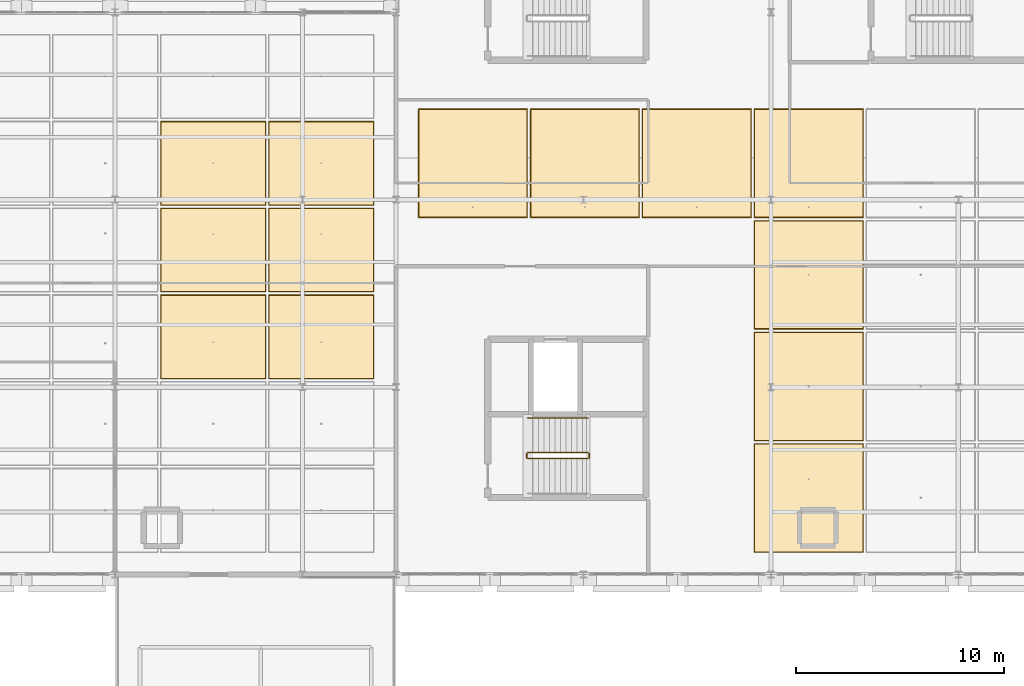
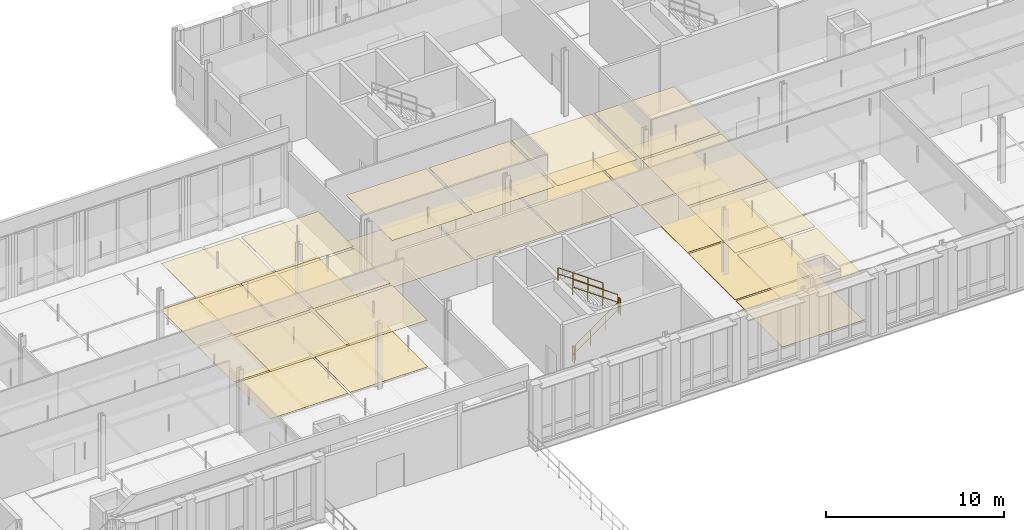
# One storey, part 85 of 89: 26 coverings, 5 railings.
"""IFC4 building model written with IfcOpenShell, lengths in metres."""

import ifcopenshell
import ifcopenshell.guid

model = None  # the IFC model being written
_history = None  # IfcOwnerHistory: only IFC2X3 demands one
_inside = {}  # id of a spatial element -> (the spatial element, [elements in it])
_under = {}  # id of a project, library or spatial element -> (it, [spatial elements below it])
_declared = {}  # id of a project -> (the project, [libraries it declares])
_typed = {}  # id of a type object -> (the type object, [elements of that type])
_made_of = {}  # id of a material, layer set ... -> (it, [elements and type objects made of it])


def new_model(schema):
    """Start an empty IFC model of exactly this schema.

    Asked for "IFC4X3", IfcOpenShell would pick the latest addendum, in which some entities
    have other attributes; the version numbers below select the first issue.
    IFC2X3 requires an IfcOwnerHistory on every rooted entity: one is made here for all.
    """
    global model, _history
    if schema == "IFC4X3":
        model = ifcopenshell.file(schema_version=(4, 3, 0, 0))
    else:
        model = ifcopenshell.file(schema=schema)
    _inside.clear()
    _under.clear()
    _declared.clear()
    _typed.clear()
    _made_of.clear()
    _history = None
    if model.schema == "IFC2X3":
        org = make("IfcOrganization", Name="unknown")
        user = make(
            "IfcPersonAndOrganization",
            ThePerson=make("IfcPerson", FamilyName="unknown"),
            TheOrganization=org,
        )
        app = make(
            "IfcApplication",
            ApplicationDeveloper=org,
            Version="unknown",
            ApplicationFullName="unknown",
            ApplicationIdentifier="unknown",
        )
        _history = make(
            "IfcOwnerHistory",
            OwningUser=user,
            OwningApplication=app,
            ChangeAction="ADDED",
            CreationDate=0,
        )
    return model


def make(cls, **values):
    """One entity of the class cls with the attributes given. An attribute that is None is left unset."""
    return model.create_entity(
        cls, **{name: value for name, value in values.items() if value is not None}
    )


def rooted(cls, **values):
    """An entity with a GlobalId (a new one), such as an element, a storey or a relation."""
    return make(cls, GlobalId=ifcopenshell.guid.new(), OwnerHistory=_history, **values)


def si_unit(unit_type, name, prefix=None):
    """IfcSIUnit, for example si_unit("LENGTHUNIT", "METRE", prefix="MILLI")."""
    return make("IfcSIUnit", UnitType=unit_type, Prefix=prefix, Name=name)


def assignment(units):
    """IfcUnitAssignment: the units of a project."""
    return None if units is None else make("IfcUnitAssignment", Units=units)


def point(xyz):
    """IfcCartesianPoint."""
    return None if xyz is None else make("IfcCartesianPoint", Coordinates=xyz)


def direction(xyz):
    """IfcDirection."""
    return None if xyz is None else make("IfcDirection", DirectionRatios=xyz)


def frame(location, z_axis=None, x_axis=None):
    """IfcAxis2Placement3D, a coordinate frame: its origin and axes. An axis left out is left unset."""
    return make(
        "IfcAxis2Placement3D",
        Location=point(location),
        Axis=direction(z_axis),
        RefDirection=direction(x_axis),
    )


def frame_2d(location, x_axis=None):
    """IfcAxis2Placement2D, a coordinate frame in the plane: its origin and x axis."""
    return make(
        "IfcAxis2Placement2D", Location=point(location), RefDirection=direction(x_axis)
    )


def origin():
    """The frame at (0, 0, 0) with its axes left unset."""
    return frame((0.0, 0.0, 0.0))


def origin_2d():
    """The frame at (0, 0) in the plane with its x axis left unset."""
    return frame_2d((0.0, 0.0))


def place(relative_to, where):
    """IfcLocalPlacement: puts the frame where relative to a parent placement (None: the world)."""
    return make(
        "IfcLocalPlacement", PlacementRelTo=relative_to, RelativePlacement=where
    )


def context(
    kind, dimensions, precision=None, world=None, true_north=None, identifier=None
):
    """IfcGeometricRepresentationContext, for example the 3D "Model" context."""
    return make(
        "IfcGeometricRepresentationContext",
        ContextIdentifier=identifier,
        ContextType=kind,
        CoordinateSpaceDimension=dimensions,
        Precision=precision,
        WorldCoordinateSystem=world,
        TrueNorth=true_north,
    )


def subcontext(parent, identifier, kind, view, scale=None):
    """IfcGeometricRepresentationSubContext, for example "Body" below "Model"."""
    return make(
        "IfcGeometricRepresentationSubContext",
        ContextIdentifier=identifier,
        ContextType=kind,
        ParentContext=parent,
        TargetScale=scale,
        TargetView=view,
    )


def project(units=None, contexts=None):
    """IfcProject with its units and contexts."""
    return rooted(
        "IfcProject",
        Name="project",
        RepresentationContexts=contexts,
        UnitsInContext=assignment(units),
    )


def spatial(cls, under=None, at=None, **own):
    """A site, building, storey or space (cls), placed at a placement, below another one or the project."""
    s = rooted(cls, ObjectPlacement=at, **own)
    if under is not None:
        _under.setdefault(under.id(), (under, []))[1].append(s)
    return s


def profile(cls, at=None, kind="AREA", **sizes):
    """A parametric profile (cls). Its sizes go by their IFC names, for example OverallWidth=200.0."""
    return make(cls, ProfileType=kind, Position=at, **sizes)


def rectangle(**sizes):
    """IfcRectangleProfileDef."""
    return profile("IfcRectangleProfileDef", **sizes)


def circle(**sizes):
    """IfcCircleProfileDef."""
    return profile("IfcCircleProfileDef", **sizes)


def extrude(swept, where, along, depth):
    """IfcExtrudedAreaSolid: the profile swept, set in the frame where, extruded along a direction by depth."""
    return make(
        "IfcExtrudedAreaSolid",
        SweptArea=swept,
        Position=where,
        ExtrudedDirection=direction(along),
        Depth=depth,
    )


def shape(context_of_items, identifier, shape_type, items):
    """IfcShapeRepresentation: the items that make up one representation, for example the "Body"."""
    return make(
        "IfcShapeRepresentation",
        ContextOfItems=context_of_items,
        RepresentationIdentifier=identifier,
        RepresentationType=shape_type,
        Items=items,
    )


def material(Name=None, Category=None):
    """IfcMaterial."""
    return make("IfcMaterial", Name=Name, Category=Category)


def layer(
    of_material, thickness, ventilated=None, Name=None, Category=None, Priority=None
):
    """IfcMaterialLayer: one layer of a wall or slab, of a material (None: an air gap)."""
    return make(
        "IfcMaterialLayer",
        Material=of_material,
        LayerThickness=thickness,
        IsVentilated=ventilated,
        Name=Name,
        Category=Category,
        Priority=Priority,
    )


def layer_set(layers, Name=None):
    """IfcMaterialLayerSet."""
    return make("IfcMaterialLayerSet", MaterialLayers=layers, LayerSetName=Name)


def made_of(thing, what):
    """Note that an element or type object is made of a material, layer set ...; save() writes the relation."""
    if what is not None:
        _made_of.setdefault(what.id(), (what, []))[1].append(thing)
    return thing


def type_object(cls, material=None, **own):
    """A type object (cls), such as IfcWallType, which elements share."""
    return made_of(rooted(cls, **own), material)


def element(
    cls,
    number,
    at=None,
    inside=None,
    cuts=None,
    type_object=None,
    material=None,
    context=None,
    identifier="Body",
    shape_type=None,
    held_by="IfcProductDefinitionShape",
    body=None,
    shapes=None,
    **own,
):
    """One element of the class cls, such as IfcWall. Its Tag is "e" and its number.

    at: its placement. inside: the storey or other place that contains it. cuts: it is an
    opening in that element (IfcRelVoidsElement). A single representation is given by context,
    identifier, shape_type and body (its items); several are given by shapes. held_by: the class
    of the entity that holds the representations. save() writes the other relations.
    """
    e = rooted(cls, Tag="e%d" % number, ObjectPlacement=at, **own)
    if body is not None:
        shapes = [shape(context, identifier, shape_type, body)]
    if shapes is not None:
        e.Representation = make(held_by, Representations=shapes)
    if inside is not None:
        _inside.setdefault(inside.id(), (inside, []))[1].append(e)
    if cuts is not None:
        rooted(
            "IfcRelVoidsElement", RelatingBuildingElement=cuts, RelatedOpeningElement=e
        )
    if type_object is not None:
        _typed.setdefault(type_object.id(), (type_object, []))[1].append(e)
    return made_of(e, material)


def aggregate(whole, parts):
    """IfcRelAggregates: a whole, such as a stair, and the parts it consists of."""
    return rooted("IfcRelAggregates", RelatingObject=whole, RelatedObjects=parts)


def save(model, path):
    """Write the relations noted so far, then the file.

    IfcRelAggregates (storeys below a building ...), IfcRelContainedInSpatialStructure (elements
    in a storey), IfcRelDefinesByType, IfcRelAssociatesMaterial and IfcRelDeclares: one each for
    every whole, place, type object, material and project.
    """
    for whole, parts in _under.values():
        aggregate(whole, parts)
    for where, things in _inside.values():
        rooted(
            "IfcRelContainedInSpatialStructure",
            RelatedElements=things,
            RelatingStructure=where,
        )
    for kind, things in _typed.values():
        rooted("IfcRelDefinesByType", RelatedObjects=things, RelatingType=kind)
    for what, things in _made_of.values():
        rooted("IfcRelAssociatesMaterial", RelatedObjects=things, RelatingMaterial=what)
    for by, libraries in _declared.values():
        rooted("IfcRelDeclares", RelatingContext=by, RelatedDefinitions=libraries)
    model.write(path)


model = new_model("IFC4")

# Units and contexts
model_context = context("Model", 3, precision=1e-05, world=origin(), true_north=direction((0.0, 1.0)))
body_context = subcontext(model_context, "Body", "Model", "MODEL_VIEW")
ifc_project = project(units=[si_unit("LENGTHUNIT", "METRE"), si_unit("AREAUNIT", "SQUARE_METRE"), si_unit("VOLUMEUNIT", "CUBIC_METRE"), si_unit("PLANEANGLEUNIT", "RADIAN"), si_unit("MASSUNIT", "GRAM", prefix="KILO"), si_unit("THERMODYNAMICTEMPERATUREUNIT", "KELVIN"), si_unit("POWERUNIT", "WATT")], contexts=[model_context])

# Site, building, storey
site_placement = place(None, origin())
site = spatial("IfcSite", under=ifc_project, at=site_placement, CompositionType="ELEMENT")
building_placement = place(site_placement, origin())
building = spatial("IfcBuilding", under=site, at=building_placement, Name="Tallowbark Science Centre", CompositionType="ELEMENT")
storey_placement = place(building_placement, frame((0.0, 0.0, 14.39990234375)))
storey = spatial("IfcBuildingStorey", under=building, at=storey_placement, Name="L03", CompositionType="ELEMENT", Elevation=14.39990234375)

# Coverings
ifc_material_1 = material(Name="Mineral-Fibre Acoustic Ceiling Tile Grid")
ifc_layer_1 = layer(ifc_material_1, 0.01806640625)
ifc_layer_set_1 = layer_set([ifc_layer_1], Name="Mineral-Fibre Acoustic Ceiling Tile Grid")
covering_type_1 = type_object("IfcCoveringType", Name="CLG-ACT-18", PredefinedType="CEILING", material=ifc_layer_set_1)
for number, where, z_axis, x_axis, name in (
    (1, (116.1875, 91.75, 3.191162109375), (0.0, 0.0, 1.0), (1.0, 0.0, 0.0), "Suspended Ceiling L03-1033"),
    (2, (121.5625, 91.75, 3.191162109375), (0.0, 0.0, 1.0), (1.0, 0.0, 0.0), "Suspended Ceiling L03-1035"),
    (3, (126.9375, 91.75, 3.191162109375), (0.0, 0.0, 1.0), (1.0, 0.0, 0.0), "Suspended Ceiling L03-1037"),
    (4, (132.3125, 75.6787109375, 3.191162109375), (0.0, 0.0, 1.0), (1.0, 0.0, 0.0), "Suspended Ceiling L03-1039"),
    (5, (132.3125, 81.03564453125, 3.191162109375), (0.0, 0.0, 1.0), (1.0, 0.0, 0.0), "Suspended Ceiling L03-1040"),
    (6, (132.3125, 86.392822265625, 3.191162109375), (0.0, 0.0, 1.0), (1.0, 0.0, 0.0), "Suspended Ceiling L03-1041"),
    (7, (132.3125, 91.75, 3.191162109375), (0.0, 0.0, 1.0), (1.0, 0.0, 0.0), "Suspended Ceiling L03-1042"),
):
    element("IfcCovering", number, at=place(storey_placement, frame(where, z_axis=z_axis, x_axis=x_axis)), inside=storey, type_object=covering_type_1, Name=name, PredefinedType="CEILING", context=body_context, shape_type="SweptSolid", body=[
        extrude(rectangle(XDim=5.195068359375, YDim=5.177001953125, at=origin_2d()), origin(), (0.0, 0.0, 1.0), 0.01806640625),
    ])
ifc_material_2 = material(Name="Cleanable Vinyl-Faced Laboratory Ceiling Tile")
ifc_layer_2 = layer(ifc_material_2, 0.01611328125)
ifc_layer_set_2 = layer_set([ifc_layer_2], Name="Cleanable Vinyl-Faced Laboratory Ceiling Tile")
covering_type_2 = type_object("IfcCoveringType", Name="CLG-LAB-16", PredefinedType="CEILING", material=ifc_layer_set_2)
for number, where, z_axis, x_axis, name in (
    (8, (103.71875, 83.416748046875, 3.192138671875), (0.0, 0.0, 1.0), (1.0, 0.0, 0.0), "Suspended Ceiling L03-1023"),
    (9, (103.71875, 87.583251953125, 3.192138671875), (0.0, 0.0, 1.0), (1.0, 0.0, 0.0), "Suspended Ceiling L03-1024"),
    (10, (103.71875, 91.75, 3.192138671875), (0.0, 0.0, 1.0), (1.0, 0.0, 0.0), "Suspended Ceiling L03-1025"),
    (11, (108.90625, 83.416748046875, 3.192138671875), (0.0, 0.0, 1.0), (1.0, 0.0, 0.0), "Suspended Ceiling L03-1029"),
    (12, (108.90625, 87.583251953125, 3.192138671875), (0.0, 0.0, 1.0), (1.0, 0.0, 0.0), "Suspended Ceiling L03-1030"),
    (13, (108.90625, 91.75, 3.192138671875), (0.0, 0.0, 1.0), (1.0, 0.0, 0.0), "Suspended Ceiling L03-1031"),
):
    element("IfcCovering", number, at=place(storey_placement, frame(where, z_axis=z_axis, x_axis=x_axis)), inside=storey, type_object=covering_type_2, Name=name, PredefinedType="CEILING", context=body_context, shape_type="SweptSolid", body=[
        extrude(rectangle(XDim=5.007568359375, YDim=3.98681640625, at=origin_2d()), origin(), (0.0, 0.0, 1.0), 0.01611328125),
    ])
ifc_material_3 = material(Name="Engineered Blackbutt Gallery Timber Flooring", Category="wood")
ifc_layer_3 = layer(ifc_material_3, 0.02197265625)
ifc_layer_set_3 = layer_set([ifc_layer_3], Name="Engineered Blackbutt Gallery Timber Flooring")
covering_type_3 = type_object("IfcCoveringType", Name="FLR-TIM-22", PredefinedType="FLOORING", material=ifc_layer_set_3)
for number, where, z_axis, x_axis, name in (
    (14, (116.1875, 91.75, 0.0), (0.0, 0.0, 1.0), (1.0, 0.0, 0.0), "Floor Finish L03-1033"),
    (15, (121.5625, 91.75, 0.0), (0.0, 0.0, 1.0), (1.0, 0.0, 0.0), "Floor Finish L03-1035"),
    (16, (126.9375, 91.75, 0.0), (0.0, 0.0, 1.0), (1.0, 0.0, 0.0), "Floor Finish L03-1037"),
    (17, (132.3125, 75.6787109375, 0.0), (0.0, 0.0, 1.0), (1.0, 0.0, 0.0), "Floor Finish L03-1039"),
    (18, (132.3125, 81.03564453125, 0.0), (0.0, 0.0, 1.0), (1.0, 0.0, 0.0), "Floor Finish L03-1040"),
    (19, (132.3125, 86.392822265625, 0.0), (0.0, 0.0, 1.0), (1.0, 0.0, 0.0), "Floor Finish L03-1041"),
    (20, (132.3125, 91.75, 0.0), (0.0, 0.0, 1.0), (1.0, 0.0, 0.0), "Floor Finish L03-1042"),
):
    element("IfcCovering", number, at=place(storey_placement, frame(where, z_axis=z_axis, x_axis=x_axis)), inside=storey, type_object=covering_type_3, Name=name, PredefinedType="FLOORING", context=body_context, shape_type="SweptSolid", body=[
        extrude(rectangle(XDim=5.2548828125, YDim=5.237060546875, at=origin_2d()), origin(), (0.0, 0.0, 1.0), 0.02197265625),
    ])
ifc_material_4 = material(Name="Chemical-Resistant Seamless Laboratory Vinyl")
ifc_layer_4 = layer(ifc_material_4, 0.011962890625)
ifc_layer_set_4 = layer_set([ifc_layer_4], Name="Chemical-Resistant Seamless Laboratory Vinyl")
covering_type_4 = type_object("IfcCoveringType", Name="FLR-VIN-12", PredefinedType="FLOORING", material=ifc_layer_set_4)
for number, where, z_axis, x_axis, name in (
    (21, (103.71875, 83.416748046875, 0.0), (0.0, 0.0, 1.0), (1.0, 0.0, 0.0), "Floor Finish L03-1023"),
    (22, (103.71875, 87.583251953125, 0.0), (0.0, 0.0, 1.0), (1.0, 0.0, 0.0), "Floor Finish L03-1024"),
    (23, (103.71875, 91.75, 0.0), (0.0, 0.0, 1.0), (1.0, 0.0, 0.0), "Floor Finish L03-1025"),
    (24, (108.90625, 83.416748046875, 0.0), (0.0, 0.0, 1.0), (1.0, 0.0, 0.0), "Floor Finish L03-1029"),
    (25, (108.90625, 87.583251953125, 0.0), (0.0, 0.0, 1.0), (1.0, 0.0, 0.0), "Floor Finish L03-1030"),
    (26, (108.90625, 91.75, 0.0), (0.0, 0.0, 1.0), (1.0, 0.0, 0.0), "Floor Finish L03-1031"),
):
    element("IfcCovering", number, at=place(storey_placement, frame(where, z_axis=z_axis, x_axis=x_axis)), inside=storey, type_object=covering_type_4, Name=name, PredefinedType="FLOORING", context=body_context, shape_type="SweptSolid", body=[
        extrude(rectangle(XDim=5.0673828125, YDim=4.046630859375, at=origin_2d()), origin(), (0.0, 0.0, 1.0), 0.011962890625),
    ])

# Railings
ifc_material_5 = material(Name="Galvanised Painted Steel and Laminated Glass Balustrade", Category="steel")
ifc_layer_5 = layer(ifc_material_5, 0.070068359375)
ifc_layer_set_5 = layer_set([ifc_layer_5], Name="Galvanised Painted Steel and Laminated Glass Balustrade")
railing_type_1 = type_object("IfcRailingType", Name="RLG-BAL-1150", PredefinedType="BALUSTRADE", material=ifc_layer_set_5)
railing_1_placement = place(storey_placement, frame((118.81005859375, 77.56005859375, 0.1875)))
element("IfcRailing", 27, at=railing_1_placement, inside=storey, type_object=railing_type_1, Name="L03 ST-02 stair guard 1", PredefinedType="BALUSTRADE", context=body_context, shape_type="SweptSolid", body=[
    extrude(circle(Radius=0.02392578125, at=origin_2d()), frame((0.0, 0.0, 1.076171875), z_axis=(0.816330724661, 0.0, 0.577584753931), x_axis=(0.0, 1.0, 0.0)), (0.0, 0.0, 1.0), 3.57080078125),
    extrude(circle(Radius=0.02392578125, at=origin_2d()), frame((0.0, 0.0, 0.550048828125), z_axis=(0.816330724661, 0.0, 0.577584753931), x_axis=(0.0, 1.0, 0.0)), (0.0, 0.0, 1.0), 3.57080078125),
    extrude(circle(Radius=0.02099609375, at=origin_2d()), origin(), (0.0, 0.0, 1.0), 1.052001953125),
    extrude(circle(Radius=0.02099609375, at=origin_2d()), frame((0.9716796875, 0.0, 0.6875)), (0.0, 0.0, 1.0), 1.052001953125),
    extrude(circle(Radius=0.02099609375, at=origin_2d()), frame((1.943359375, 0.0, 1.375)), (0.0, 0.0, 1.0), 1.052001953125),
    extrude(circle(Radius=0.02099609375, at=origin_2d()), frame((2.9150390625, 0.0, 2.0625)), (0.0, 0.0, 1.0), 1.052001953125),
])
railing_2_placement = place(storey_placement, frame((121.77490234375, 77.610107421875, 2.25)))
element("IfcRailing", 28, at=railing_2_placement, inside=storey, type_object=railing_type_1, Name="L03 ST-02 stair guard 2", PredefinedType="BALUSTRADE", context=body_context, shape_type="SweptSolid", body=[
    extrude(circle(Radius=0.02392578125, at=origin_2d()), frame((0.0, 0.0, 1.076171875), z_axis=(0.0, 1.0, 0.0), x_axis=(-1.0, 0.0, 0.0)), (0.0, 0.0, 1.0), 0.199951171875),
    extrude(circle(Radius=0.02392578125, at=origin_2d()), frame((0.0, 0.0, 0.550048828125), z_axis=(0.0, 1.0, 0.0), x_axis=(-1.0, 0.0, 0.0)), (0.0, 0.0, 1.0), 0.199951171875),
    extrude(circle(Radius=0.02099609375, at=origin_2d()), origin(), (0.0, 0.0, 1.0), 1.052001953125),
    extrude(circle(Radius=0.02099609375, at=origin_2d()), frame((0.0, 0.199951171875, 0.0)), (0.0, 0.0, 1.0), 1.052001953125),
])
railing_3_placement = place(storey_placement, frame((121.72509765625, 77.860107421875, 2.4375)))
element("IfcRailing", 29, at=railing_3_placement, inside=storey, type_object=railing_type_1, Name="L03 ST-02 stair guard 3", PredefinedType="BALUSTRADE", context=body_context, shape_type="SweptSolid", body=[
    extrude(circle(Radius=0.02392578125, at=origin_2d()), frame((0.0, 0.0, 1.076171875), z_axis=(-0.816330724661, 0.0, 0.577584753931), x_axis=(0.0, -1.0, 0.0)), (0.0, 0.0, 1.0), 3.57080078125),
    extrude(circle(Radius=0.02392578125, at=origin_2d()), frame((0.0, 0.0, 0.550048828125), z_axis=(-0.816330724661, 0.0, 0.577584753931), x_axis=(0.0, -1.0, 0.0)), (0.0, 0.0, 1.0), 3.57080078125),
    extrude(circle(Radius=0.02099609375, at=origin_2d()), origin(), (0.0, 0.0, 1.0), 1.052001953125),
    extrude(circle(Radius=0.02099609375, at=origin_2d()), frame((-0.9716796875, 0.0, 0.6875)), (0.0, 0.0, 1.0), 1.052001953125),
    extrude(circle(Radius=0.02099609375, at=origin_2d()), frame((-1.943359375, 0.0, 1.375)), (0.0, 0.0, 1.0), 1.052001953125),
    extrude(circle(Radius=0.02099609375, at=origin_2d()), frame((-2.9150390625, 0.0, 2.0625)), (0.0, 0.0, 1.0), 1.052001953125),
])
railing_4_placement = place(storey_placement, frame((118.760009765625, 77.610107421875, 0.0)))
element("IfcRailing", 30, at=railing_4_placement, inside=storey, type_object=railing_type_1, Name="L03 ST-02 stair guard 4", PredefinedType="BALUSTRADE", context=body_context, shape_type="SweptSolid", body=[
    extrude(circle(Radius=0.02392578125, at=origin_2d()), frame((0.0, 0.0, 1.076171875), z_axis=(0.0, 1.0, 0.0), x_axis=(-1.0, 0.0, 0.0)), (0.0, 0.0, 1.0), 0.199951171875),
    extrude(circle(Radius=0.02392578125, at=origin_2d()), frame((0.0, 0.0, 0.550048828125), z_axis=(0.0, 1.0, 0.0), x_axis=(-1.0, 0.0, 0.0)), (0.0, 0.0, 1.0), 0.199951171875),
    extrude(circle(Radius=0.02099609375, at=origin_2d()), origin(), (0.0, 0.0, 1.0), 1.052001953125),
    extrude(circle(Radius=0.02099609375, at=origin_2d()), frame((0.0, 0.199951171875, 0.0)), (0.0, 0.0, 1.0), 1.052001953125),
])
ifc_material_6 = material(Name="Brushed Grade 316 Stainless Steel Handrail", Category="steel")
ifc_layer_6 = layer(ifc_material_6, 0.050048828125)
ifc_layer_set_6 = layer_set([ifc_layer_6], Name="Brushed Grade 316 Stainless Steel Handrail")
railing_type_2 = type_object("IfcRailingType", Name="RLG-HDR-950", PredefinedType="HANDRAIL", material=ifc_layer_set_6)
railing_5_placement = place(storey_placement, frame((121.72509765625, 79.52001953125, 2.4375)))
element("IfcRailing", 31, at=railing_5_placement, inside=storey, type_object=railing_type_2, Name="L03 ST-02 stair handrail 2", PredefinedType="HANDRAIL", context=body_context, shape_type="SweptSolid", body=[
    extrude(circle(Radius=0.02392578125, at=origin_2d()), frame((0.0, 0.0, 0.8759765625), z_axis=(-0.816330724661, 0.0, 0.577584753931), x_axis=(0.0, -1.0, 0.0)), (0.0, 0.0, 1.0), 3.57080078125),
    extrude(circle(Radius=0.02392578125, at=origin_2d()), frame((0.0, 0.0, 0.449951171875), z_axis=(-0.816330724661, 0.0, 0.577584753931), x_axis=(0.0, -1.0, 0.0)), (0.0, 0.0, 1.0), 3.57080078125),
    extrude(circle(Radius=0.02099609375, at=origin_2d()), origin(), (0.0, 0.0, 1.0), 0.851806640625),
    extrude(circle(Radius=0.02099609375, at=origin_2d()), frame((-0.9716796875, 0.0, 0.6875)), (0.0, 0.0, 1.0), 0.851806640625),
    extrude(circle(Radius=0.02099609375, at=origin_2d()), frame((-1.943359375, 0.0, 1.375)), (0.0, 0.0, 1.0), 0.851806640625),
    extrude(circle(Radius=0.02099609375, at=origin_2d()), frame((-2.9150390625, 0.0, 2.0625)), (0.0, 0.0, 1.0), 0.851806640625),
])

save(model, "model.ifc")
